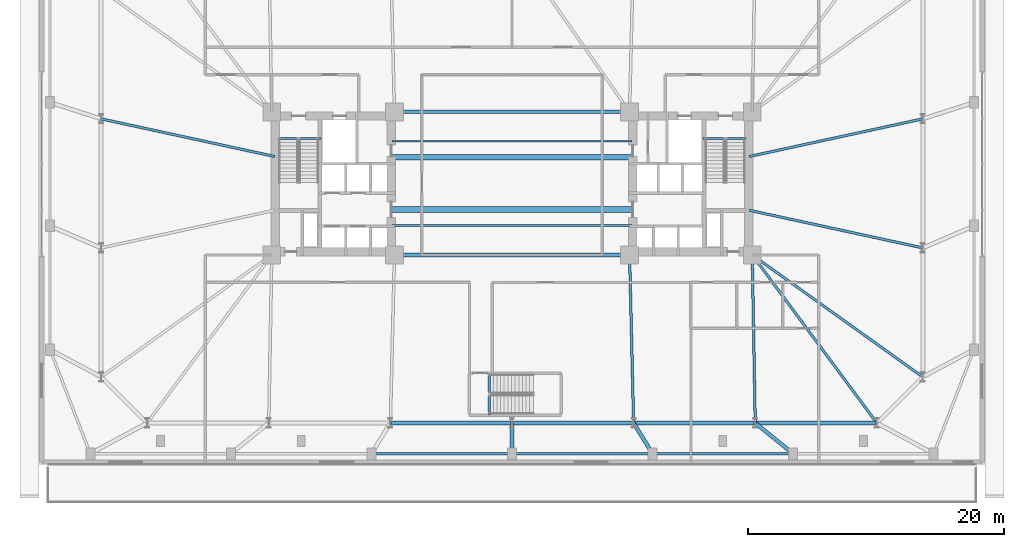
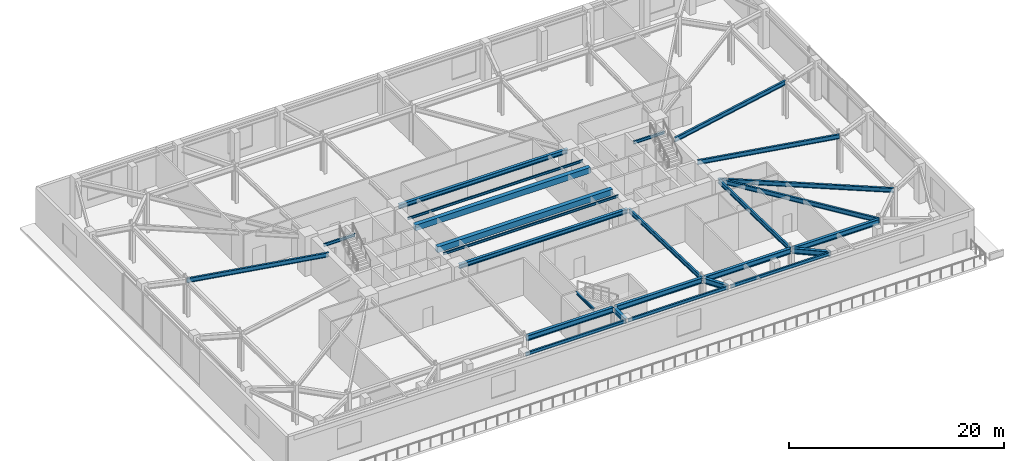
# One storey, part 7 of 21: 26 beams.
"""IFC4 building model written with IfcOpenShell, lengths in metres."""

from ifc_helpers import new_model, si_unit, direction, frame, origin, origin_2d, place, context, subcontext, project, spatial, rectangle, i_section, extrude, material, material_profile, profile_set, type_object, element, save


model = new_model("IFC4")

# Units and contexts
model_context = context("Model", 3, precision=1e-05, world=origin(), true_north=direction((0.0, 1.0)))
body_context = subcontext(model_context, "Body", "Model", "MODEL_VIEW")
ifc_project = project(units=[si_unit("LENGTHUNIT", "METRE"), si_unit("AREAUNIT", "SQUARE_METRE"), si_unit("VOLUMEUNIT", "CUBIC_METRE"), si_unit("PLANEANGLEUNIT", "RADIAN"), si_unit("MASSUNIT", "GRAM", prefix="KILO")], contexts=[model_context])

# Site, building, storey
site_placement = place(None, origin())
site = spatial("IfcSite", under=ifc_project, at=site_placement, CompositionType="ELEMENT")
building_placement = place(site_placement, origin())
building = spatial("IfcBuilding", under=site, at=building_placement, Name="Qobustan Lattice House", CompositionType="ELEMENT")
storey_placement = place(building_placement, frame((0.0, 0.0, 13.5)))
storey = spatial("IfcBuildingStorey", under=building, at=storey_placement, Name="L03", CompositionType="ELEMENT", Elevation=13.5)

# Beams
ifc_material_1 = material(Name="Steel S355", Category="steel")
ifc_material_profile_1 = material_profile(ifc_material_1, i_section(OverallWidth=0.300048828125, OverallDepth=0.5, WebThickness=0.014404296875, FlangeThickness=0.028076171875, FilletRadius=0.027099609375, at=origin_2d()), Name="HEB500")
ifc_profile_set_1 = profile_set([ifc_material_profile_1], Name="Steel S355")
beam_type_1 = type_object("IfcBeamType", Name="BM-CG-HEB500", PredefinedType="USERDEFINED", material=ifc_profile_set_1)
for number, where, z_axis, x_axis, name in (
    (1, (-9.050048828125, -5.60009765625, 3.919921875), (1.0, 0.0, 0.0), (0.0, 1.0, 0.0), "L03 core spine girder CG-CS"),
    (2, (-9.050048828125, 5.60009765625, 3.919921875), (1.0, 0.0, 0.0), (0.0, 1.0, 0.0), "L03 core spine girder CG-CN"),
):
    element("IfcBeam", number, at=place(storey_placement, frame(where, z_axis=z_axis, x_axis=x_axis)), inside=storey, type_object=beam_type_1, Name=name, ObjectType="GIRDER", PredefinedType="USERDEFINED", context=body_context, shape_type="SweptSolid", body=[
        extrude(i_section(OverallWidth=0.300048828125, OverallDepth=0.5, WebThickness=0.014404296875, FlangeThickness=0.028076171875, FilletRadius=0.027099609375, at=origin_2d()), origin(), (0.0, 0.0, 1.0), 18.10009765625),
    ])
ifc_material_2 = material(Name="Steel S355", Category="steel")
ifc_material_profile_2 = material_profile(ifc_material_2, i_section(OverallWidth=0.199951171875, OverallDepth=0.5, WebThickness=0.01025390625, FlangeThickness=0.01611328125, FilletRadius=0.02099609375, at=origin_2d()), Name="IPE500")
ifc_profile_set_2 = profile_set([ifc_material_profile_2], Name="Steel S355")
beam_type_2 = type_object("IfcBeamType", Name="BM-FLG-IPE500", PredefinedType="USERDEFINED", material=ifc_profile_set_2)
beam_1_placement = place(storey_placement, frame((9.51611328125, -18.72509765625, 3.919921875), z_axis=(-0.024071445657, 0.999710240772, 0.0), x_axis=(-0.999710240772, -0.024071445657, 0.0)))
element("IfcBeam", 3, at=beam_1_placement, inside=storey, type_object=beam_type_2, Name="L03 primary floor girder RAD-S5", ObjectType="GIRDER", PredefinedType="USERDEFINED", context=body_context, shape_type="SweptSolid", body=[
    extrude(i_section(OverallWidth=0.199951171875, OverallDepth=0.5, WebThickness=0.01025390625, FlangeThickness=0.01611328125, FilletRadius=0.02099609375, at=origin_2d()), origin(), (0.0, 0.0, 1.0), 13.10400390625),
])
beam_2_placement = place(storey_placement, frame((19.032958984375, -18.72509765625, 3.919921875), z_axis=(-0.017757831607, 0.999842317276, 0.0), x_axis=(-0.999842317276, -0.017757831607, 0.0)))
element("IfcBeam", 4, at=beam_2_placement, inside=storey, type_object=beam_type_2, Name="L03 primary floor girder RAD-S6", ObjectType="GIRDER", PredefinedType="USERDEFINED", context=body_context, shape_type="SweptSolid", body=[
    extrude(i_section(OverallWidth=0.199951171875, OverallDepth=0.5, WebThickness=0.01025390625, FlangeThickness=0.01611328125, FilletRadius=0.02099609375, at=origin_2d()), origin(), (0.0, 0.0, 1.0), 13.10205078125),
])
beam_3_placement = place(storey_placement, frame((28.53515625, -18.72998046875, 3.919921875), z_axis=(-0.5955916815, 0.803287338956, 0.0), x_axis=(-0.803287338956, -0.5955916815, 0.0)))
element("IfcBeam", 5, at=beam_3_placement, inside=storey, type_object=beam_type_2, Name="L03 primary floor girder RAD-S7E", ObjectType="GIRDER", PredefinedType="USERDEFINED", context=body_context, shape_type="SweptSolid", body=[
    extrude(i_section(OverallWidth=0.199951171875, OverallDepth=0.5, WebThickness=0.01025390625, FlangeThickness=0.01611328125, FilletRadius=0.02099609375, at=origin_2d()), origin(), (0.0, 0.0, 1.0), 16.3203125),
])
for number, where, z_axis, x_axis, name in (
    (6, (-32.12548828125, 5.044677734375, 3.919921875), (0.97727240275, -0.211987383643, 0.0), (0.211987383643, 0.97727240275, 0.0), "L03 primary floor girder RAD-W2"),
    (7, (32.12548828125, 5.044677734375, 3.919921875), (-0.97727240275, -0.211987383643, 0.0), (0.211987383643, -0.97727240275, 0.0), "L03 primary floor girder RAD-E3"),
    (8, (32.12548828125, -5.044677734375, 3.919921875), (-0.97727240275, 0.211987383643, 0.0), (-0.211987383643, -0.97727240275, 0.0), "L03 primary floor girder RAD-E2"),
):
    element("IfcBeam", number, at=place(storey_placement, frame(where, z_axis=z_axis, x_axis=x_axis)), inside=storey, type_object=beam_type_2, Name=name, ObjectType="GIRDER", PredefinedType="USERDEFINED", context=body_context, shape_type="SweptSolid", body=[
        extrude(i_section(OverallWidth=0.199951171875, OverallDepth=0.5, WebThickness=0.01025390625, FlangeThickness=0.01611328125, FilletRadius=0.02099609375, at=origin_2d()), origin(), (0.0, 0.0, 1.0), 13.8662109375),
    ])
beam_4_placement = place(storey_placement, frame((32.129638671875, -15.135498046875, 3.919921875), z_axis=(-0.813318954893, 0.581818079481, 0.0), x_axis=(-0.581818079481, -0.813318954893, 0.0)))
element("IfcBeam", 9, at=beam_4_placement, inside=storey, type_object=beam_type_2, Name="L03 primary floor girder RAD-E1", ObjectType="GIRDER", PredefinedType="USERDEFINED", context=body_context, shape_type="SweptSolid", body=[
    extrude(i_section(OverallWidth=0.199951171875, OverallDepth=0.5, WebThickness=0.01025390625, FlangeThickness=0.01611328125, FilletRadius=0.02099609375, at=origin_2d()), origin(), (0.0, 0.0, 1.0), 16.3642578125),
])
ifc_material_3 = material(Name="Steel S355", Category="steel")
ifc_material_profile_3 = material_profile(ifc_material_3, i_section(OverallWidth=0.135009765625, OverallDepth=0.27001953125, WebThickness=0.006591796875, FlangeThickness=0.01025390625, FilletRadius=0.014892578125, at=origin_2d()), Name="IPE270")
ifc_profile_set_3 = profile_set([ifc_material_profile_3], Name="Steel S355")
beam_type_3 = type_object("IfcBeamType", Name="BM-JST-IPE270", PredefinedType="JOIST", material=ifc_profile_set_3)
for number, where, z_axis, x_axis, name in (
    (10, (-9.39990234375, -3.300048828125, 4.034912109375), (1.0, 0.0, 0.0), (0.0, 1.0, 0.0), "L03 central span floor joist 1"),
    (11, (-9.39990234375, 3.300048828125, 4.034912109375), (1.0, 0.0, 0.0), (0.0, 1.0, 0.0), "L03 central span floor joist 2"),
):
    element("IfcBeam", number, at=place(storey_placement, frame(where, z_axis=z_axis, x_axis=x_axis)), inside=storey, type_object=beam_type_3, Name=name, PredefinedType="JOIST", context=body_context, shape_type="SweptSolid", body=[
        extrude(i_section(OverallWidth=0.135009765625, OverallDepth=0.27001953125, WebThickness=0.006591796875, FlangeThickness=0.01025390625, FilletRadius=0.014892578125, at=origin_2d()), origin(), (0.0, 0.0, 1.0), 18.7998046875),
    ])
ifc_material_4 = material(Name="Concrete C50/60", Category="concrete")
ifc_material_profile_4 = material_profile(ifc_material_4, rectangle(XDim=0.449951171875, YDim=0.64990234375, at=origin_2d()), Name="RC450x650")
ifc_profile_set_4 = profile_set([ifc_material_profile_4], Name="Concrete C50/60")
beam_type_4 = type_object("IfcBeamType", Name="BM-LINTEL-450x650", PredefinedType="LINTEL", material=ifc_profile_set_4)
for number, where, z_axis, x_axis, name in (
    (12, (-9.39990234375, -2.050048828125, 3.844970703125), (1.0, 0.0, 0.0), (0.0, 1.0, 0.0), "L03 reinforced concrete portal lintel LN-W1"),
    (13, (-9.39990234375, 2.050048828125, 3.844970703125), (1.0, 0.0, 0.0), (0.0, 1.0, 0.0), "L03 reinforced concrete portal lintel LN-E1"),
):
    element("IfcBeam", number, at=place(storey_placement, frame(where, z_axis=z_axis, x_axis=x_axis)), inside=storey, type_object=beam_type_4, Name=name, PredefinedType="LINTEL", context=body_context, shape_type="SweptSolid", body=[
        extrude(rectangle(XDim=0.449951171875, YDim=0.64990234375, at=origin_2d()), origin(), (0.0, 0.0, 1.0), 18.7998046875),
    ])
ifc_material_5 = material(Name="Steel S355", Category="steel")
ifc_material_profile_5 = material_profile(ifc_material_5, i_section(OverallWidth=0.300048828125, OverallDepth=0.60009765625, WebThickness=0.015380859375, FlangeThickness=0.030029296875, FilletRadius=0.027099609375, at=origin_2d()), Name="HEB600")
ifc_profile_set_5 = profile_set([ifc_material_profile_5], Name="Steel S355")
beam_type_5 = type_object("IfcBeamType", Name="BM-POD-HEB600", PredefinedType="USERDEFINED", material=ifc_profile_set_5)
for number, where, z_axis, x_axis, name in (
    (14, (-9.416748046875, -18.75, 3.8701171875), (1.0, 0.0, 0.0), (0.0, 1.0, 0.0), "L03 tower base ring girder S3-S4"),
    (15, (0.10009765625, -18.75, 3.8701171875), (1.0, 0.0, 0.0), (0.0, 1.0, 0.0), "L03 tower base ring girder S4-S5"),
    (16, (9.61669921875, -18.75, 3.8701171875), (1.0, 0.0, 0.0), (0.0, 1.0, 0.0), "L03 tower base ring girder S5-S6"),
    (17, (19.13330078125, -18.75, 3.8701171875), (1.0, 0.0, 0.0), (0.0, 1.0, 0.0), "L03 tower base ring girder S6-S7"),
):
    element("IfcBeam", number, at=place(storey_placement, frame(where, z_axis=z_axis, x_axis=x_axis)), inside=storey, type_object=beam_type_5, Name=name, ObjectType="GIRDER", PredefinedType="USERDEFINED", context=body_context, shape_type="SweptSolid", body=[
        extrude(i_section(OverallWidth=0.300048828125, OverallDepth=0.60009765625, WebThickness=0.015380859375, FlangeThickness=0.030029296875, FilletRadius=0.027099609375, at=origin_2d()), origin(), (0.0, 0.0, 1.0), 9.316650390625),
    ])
beam_5_placement = place(storey_placement, frame((0.0, -21.030029296875, 3.8701171875), z_axis=(0.0, 1.0, 0.0), x_axis=(-1.0, 0.0, 0.0)))
element("IfcBeam", 18, at=beam_5_placement, inside=storey, type_object=beam_type_5, Name="L03 podium radial girder PS4", ObjectType="GIRDER", PredefinedType="USERDEFINED", context=body_context, shape_type="SweptSolid", body=[
    extrude(i_section(OverallWidth=0.300048828125, OverallDepth=0.60009765625, WebThickness=0.015380859375, FlangeThickness=0.030029296875, FilletRadius=0.027099609375, at=origin_2d()), origin(), (0.0, 0.0, 1.0), 2.179931640625),
])
beam_6_placement = place(storey_placement, frame((10.93701171875, -21.0478515625, 3.8701171875), z_axis=(-0.525782588011, 0.850618992349, 0.0), x_axis=(-0.850618992349, -0.525782588011, 0.0)))
element("IfcBeam", 19, at=beam_6_placement, inside=storey, type_object=beam_type_5, Name="L03 podium radial girder PS5", ObjectType="GIRDER", PredefinedType="USERDEFINED", context=body_context, shape_type="SweptSolid", body=[
    extrude(i_section(OverallWidth=0.300048828125, OverallDepth=0.60009765625, WebThickness=0.015380859375, FlangeThickness=0.030029296875, FilletRadius=0.027099609375, at=origin_2d()), origin(), (0.0, 0.0, 1.0), 2.601318359375),
])
beam_7_placement = place(storey_placement, frame((21.90673828125, -21.074462890625, 3.8701171875), z_axis=(-0.777472502595, 0.62891693228, 0.0), x_axis=(-0.62891693228, -0.777472502595, 0.0)))
element("IfcBeam", 20, at=beam_7_placement, inside=storey, type_object=beam_type_5, Name="L03 podium radial girder PS6", ObjectType="GIRDER", PredefinedType="USERDEFINED", context=body_context, shape_type="SweptSolid", body=[
    extrude(i_section(OverallWidth=0.300048828125, OverallDepth=0.60009765625, WebThickness=0.015380859375, FlangeThickness=0.030029296875, FilletRadius=0.027099609375, at=origin_2d()), origin(), (0.0, 0.0, 1.0), 3.595703125),
])
ifc_material_6 = material(Name="Steel S355", Category="steel")
ifc_material_profile_6 = material_profile(ifc_material_6, i_section(OverallWidth=0.159912109375, OverallDepth=0.330078125, WebThickness=0.007568359375, FlangeThickness=0.011474609375, FilletRadius=0.01806640625, at=origin_2d()), Name="IPE330")
ifc_profile_set_6 = profile_set([ifc_material_profile_6], Name="Steel S355")
beam_type_6 = type_object("IfcBeamType", Name="BM-SPD-IPE330", PredefinedType="SPANDREL", material=ifc_profile_set_6)
for number, where, z_axis, x_axis, name in (
    (21, (-18.300048828125, 3.52001953125, 4.0048828125), (1.0, 0.0, 0.0), (0.0, 1.0, 0.0), "L03 west stair landing trimmer beam"),
    (22, (14.949951171875, 3.52001953125, 4.0048828125), (1.0, 0.0, 0.0), (0.0, 1.0, 0.0), "L03 east stair landing trimmer beam"),
):
    element("IfcBeam", number, at=place(storey_placement, frame(where, z_axis=z_axis, x_axis=x_axis)), inside=storey, type_object=beam_type_6, Name=name, PredefinedType="SPANDREL", context=body_context, shape_type="SweptSolid", body=[
        extrude(i_section(OverallWidth=0.159912109375, OverallDepth=0.330078125, WebThickness=0.007568359375, FlangeThickness=0.011474609375, FilletRadius=0.01806640625, at=origin_2d()), origin(), (0.0, 0.0, 1.0), 3.35009765625),
    ])
beam_8_placement = place(storey_placement, frame((-1.780029296875, -18.139892578125, 4.0048828125), z_axis=(0.0, 1.0, 0.0), x_axis=(-1.0, 0.0, 0.0)))
element("IfcBeam", 23, at=beam_8_placement, inside=storey, type_object=beam_type_6, Name="L03 podium stair landing trimmer beam", PredefinedType="SPANDREL", context=body_context, shape_type="SweptSolid", body=[
    extrude(i_section(OverallWidth=0.159912109375, OverallDepth=0.330078125, WebThickness=0.007568359375, FlangeThickness=0.011474609375, FilletRadius=0.01806640625, at=origin_2d()), origin(), (0.0, 0.0, 1.0), 3.27978515625),
])
ifc_material_7 = material(Name="Steel S355", Category="steel")
ifc_material_profile_7 = material_profile(ifc_material_7, i_section(OverallWidth=0.179931640625, OverallDepth=0.39990234375, WebThickness=0.008544921875, FlangeThickness=0.013427734375, FilletRadius=0.02099609375, at=origin_2d()), Name="IPE400")
ifc_profile_set_7 = profile_set([ifc_material_profile_7], Name="Steel S355")
beam_type_7 = type_object("IfcBeamType", Name="BM-SPD-IPE400", PredefinedType="SPANDREL", material=ifc_profile_set_7)
for number, where, z_axis, x_axis, name in (
    (24, (-10.8798828125, -21.14990234375, 3.969970703125), (1.0, 0.0, 0.0), (0.0, 1.0, 0.0), "L03 podium spandrel PS3-PS4"),
    (25, (0.1201171875, -21.14990234375, 3.969970703125), (1.0, 0.0, 0.0), (0.0, 1.0, 0.0), "L03 podium spandrel PS4-PS5"),
    (26, (11.1201171875, -21.14990234375, 3.969970703125), (1.0, 0.0, 0.0), (0.0, 1.0, 0.0), "L03 podium spandrel PS5-PS6"),
):
    element("IfcBeam", number, at=place(storey_placement, frame(where, z_axis=z_axis, x_axis=x_axis)), inside=storey, type_object=beam_type_7, Name=name, PredefinedType="SPANDREL", context=body_context, shape_type="SweptSolid", body=[
        extrude(i_section(OverallWidth=0.179931640625, OverallDepth=0.39990234375, WebThickness=0.008544921875, FlangeThickness=0.013427734375, FilletRadius=0.02099609375, at=origin_2d()), origin(), (0.0, 0.0, 1.0), 10.759765625),
    ])

save(model, "model.ifc")
